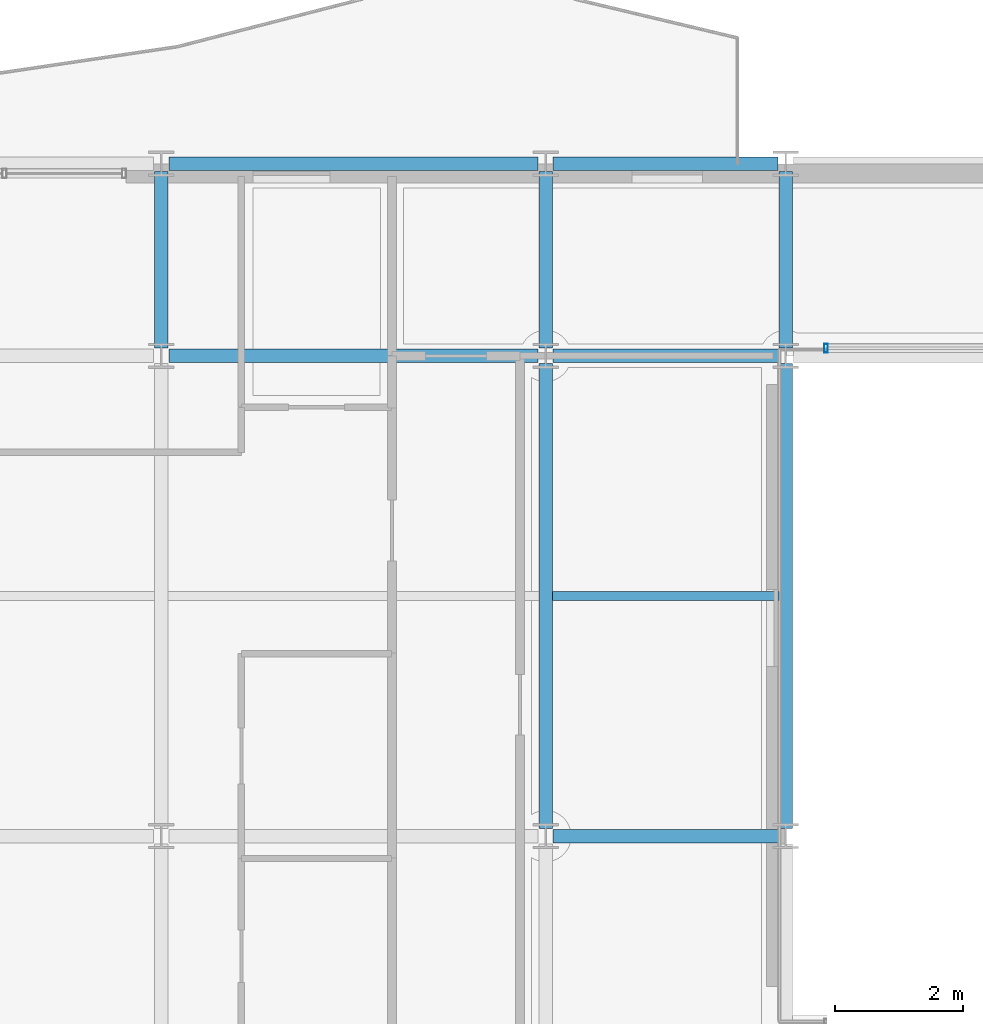
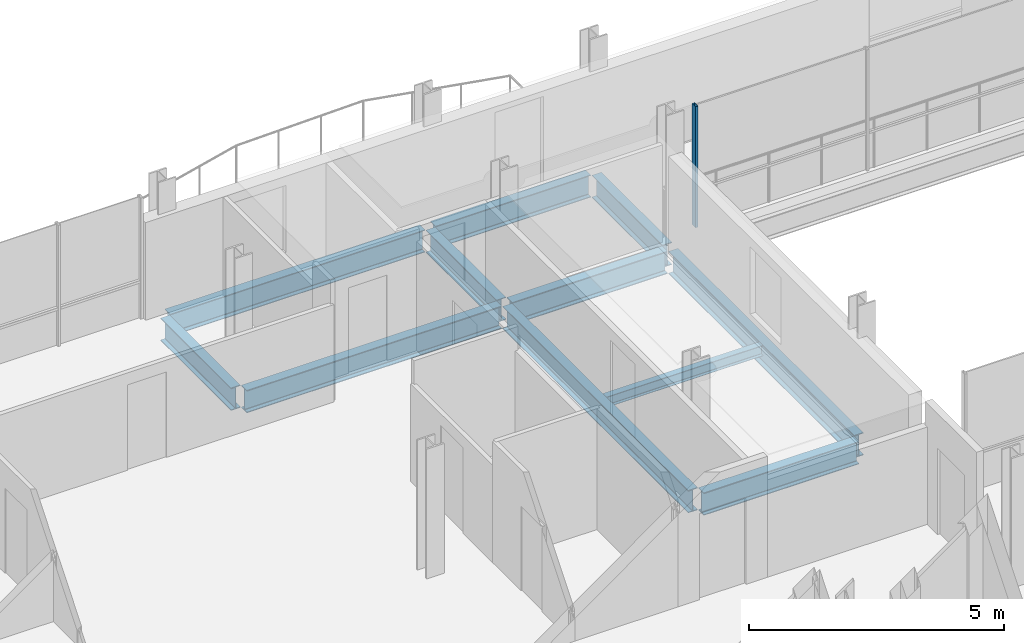
# One storey, part 9 of 35: 11 beams, 1 member, 1 element without a shape of its own.
"""IFC4 building model written with IfcOpenShell, lengths in metres."""

from ifc_helpers import new_model, si_unit, direction, frame, origin, origin_2d, place, context, subcontext, project, spatial, hollow_rectangle, i_section, extrude, material, layer, layer_set, material_profile, profile_set, type_object, element, aggregate, save


model = new_model("IFC4")

# Units and contexts
model_context = context("Model", 3, precision=1e-05, world=origin(), true_north=direction((0.0, 1.0)))
body_context = subcontext(model_context, "Body", "Model", "MODEL_VIEW")
ifc_project = project(units=[si_unit("LENGTHUNIT", "METRE"), si_unit("AREAUNIT", "SQUARE_METRE"), si_unit("VOLUMEUNIT", "CUBIC_METRE"), si_unit("PLANEANGLEUNIT", "RADIAN"), si_unit("MASSUNIT", "GRAM", prefix="KILO")], contexts=[model_context])

# Site, building, storey
site_placement = place(None, origin())
site = spatial("IfcSite", under=ifc_project, at=site_placement, CompositionType="ELEMENT")
building_placement = place(site_placement, origin())
building = spatial("IfcBuilding", under=site, at=building_placement, Name="Brevholm Reach", CompositionType="ELEMENT")
storey_placement = place(building_placement, frame((0.0, 0.0, 183.199951171875)))
storey = spatial("IfcBuildingStorey", under=building, at=storey_placement, Name="L55", CompositionType="ELEMENT", Elevation=183.199951171875)

# Beams
ifc_material_1 = material(Name="Structural Steel S355J2", Category="steel")
ifc_material_profile_1 = material_profile(ifc_material_1, i_section(OverallWidth=0.14599609375, OverallDepth=0.25146484375, WebThickness=0.006103515625, FlangeThickness=0.008544921875, FilletRadius=0.007568359375, at=origin_2d()), Name="UKB 254x146x31")
ifc_profile_set_1 = profile_set([ifc_material_profile_1], Name="Structural Steel S355J2")
beam_type_1 = type_object("IfcBeamType", Name="BM-B254", PredefinedType="BEAM", material=ifc_profile_set_1)
beam_1_placement = place(storey_placement, frame((18.10546875, 19.75, -0.335693359375), z_axis=(1.0, 0.0, 0.0), x_axis=(0.0, 1.0, 0.0)))
element("IfcBeam", 1, at=beam_1_placement, inside=storey, type_object=beam_type_1, Name="L55 Composite Secondary Floor Beam", PredefinedType="BEAM", context=body_context, shape_type="SweptSolid", body=[
    extrude(i_section(OverallWidth=0.14599609375, OverallDepth=0.25146484375, WebThickness=0.006103515625, FlangeThickness=0.008544921875, FilletRadius=0.007568359375, at=origin_2d()), origin(), (0.0, 0.0, 1.0), 3.5390625),
])
ifc_material_2 = material(Name="Structural Steel S355J2", Category="steel")
ifc_material_profile_2 = material_profile(ifc_material_2, i_section(OverallWidth=0.209228515625, OverallDepth=0.533203125, WebThickness=0.010009765625, FlangeThickness=0.015625, FilletRadius=0.0126953125, at=origin_2d()), Name="UKB 533x210x92")
ifc_profile_set_2 = profile_set([ifc_material_profile_2], Name="Structural Steel S355J2")
beam_type_2 = type_object("IfcBeamType", Name="BM-SP533", PredefinedType="SPANDREL", material=ifc_profile_set_2)
beam_2_placement = place(storey_placement, frame((12.1201171875, 26.5, -0.4765625), z_axis=(1.0, 0.0, 0.0), x_axis=(0.0, 1.0, 0.0)))
element("IfcBeam", 2, at=beam_2_placement, inside=storey, type_object=beam_type_2, Name="L55 SP-02 Framing Beam", PredefinedType="SPANDREL", context=body_context, shape_type="SweptSolid", body=[
    extrude(i_section(OverallWidth=0.209228515625, OverallDepth=0.533203125, WebThickness=0.010009765625, FlangeThickness=0.015625, FilletRadius=0.0126953125, at=origin_2d()), origin(), (0.0, 0.0, 1.0), 5.759765625),
])
beam_3_placement = place(storey_placement, frame((18.1201171875, 26.5, -0.4765625), z_axis=(1.0, 0.0, 0.0), x_axis=(0.0, 1.0, 0.0)))
element("IfcBeam", 3, at=beam_3_placement, inside=storey, type_object=beam_type_2, Name="L55 SP-02 Framing Beam", PredefinedType="SPANDREL", context=body_context, shape_type="SweptSolid", body=[
    extrude(i_section(OverallWidth=0.209228515625, OverallDepth=0.533203125, WebThickness=0.010009765625, FlangeThickness=0.015625, FilletRadius=0.0126953125, at=origin_2d()), origin(), (0.0, 0.0, 1.0), 3.509765625),
])
ifc_material_3 = material(Name="Structural Steel S355J2", Category="steel")
ifc_material_profile_3 = material_profile(ifc_material_3, i_section(OverallWidth=0.210693359375, OverallDepth=0.53955078125, WebThickness=0.01171875, FlangeThickness=0.018798828125, FilletRadius=0.0126953125, at=origin_2d()), Name="UKB 533x210x109")
ifc_profile_set_3 = profile_set([ifc_material_profile_3], Name="Structural Steel S355J2")
beam_type_3 = type_object("IfcBeamType", Name="BM-SP539", PredefinedType="SPANDREL", material=ifc_profile_set_3)
beam_4_placement = place(storey_placement, frame((18.1201171875, 16.0, -0.479736328125), z_axis=(1.0, 0.0, 0.0), x_axis=(0.0, 1.0, 0.0)))
element("IfcBeam", 4, at=beam_4_placement, inside=storey, type_object=beam_type_3, Name="L55 SP-01B Framing Beam", PredefinedType="SPANDREL", context=body_context, shape_type="SweptSolid", body=[
    extrude(i_section(OverallWidth=0.210693359375, OverallDepth=0.53955078125, WebThickness=0.01171875, FlangeThickness=0.018798828125, FilletRadius=0.0126953125, at=origin_2d()), origin(), (0.0, 0.0, 1.0), 3.509765625),
])
beam_5_placement = place(storey_placement, frame((12.1201171875, 23.5, -0.479736328125), z_axis=(1.0, 0.0, 0.0), x_axis=(0.0, 1.0, 0.0)))
element("IfcBeam", 5, at=beam_5_placement, inside=storey, type_object=beam_type_3, Name="L55 SP-01B Framing Beam", PredefinedType="SPANDREL", context=body_context, shape_type="SweptSolid", body=[
    extrude(i_section(OverallWidth=0.210693359375, OverallDepth=0.53955078125, WebThickness=0.01171875, FlangeThickness=0.018798828125, FilletRadius=0.0126953125, at=origin_2d()), origin(), (0.0, 0.0, 1.0), 5.759765625),
])
beam_6_placement = place(storey_placement, frame((18.1201171875, 23.5, -0.479736328125), z_axis=(1.0, 0.0, 0.0), x_axis=(0.0, 1.0, 0.0)))
element("IfcBeam", 6, at=beam_6_placement, inside=storey, type_object=beam_type_3, Name="L55 SP-01B Framing Beam", PredefinedType="SPANDREL", context=body_context, shape_type="SweptSolid", body=[
    extrude(i_section(OverallWidth=0.210693359375, OverallDepth=0.53955078125, WebThickness=0.01171875, FlangeThickness=0.018798828125, FilletRadius=0.0126953125, at=origin_2d()), origin(), (0.0, 0.0, 1.0), 3.509765625),
])
beam_7_placement = place(storey_placement, frame((12.0, 23.6201171875, -0.479736328125), z_axis=(0.0, 1.0, 0.0), x_axis=(-1.0, 0.0, 0.0)))
element("IfcBeam", 7, at=beam_7_placement, inside=storey, type_object=beam_type_3, Name="L55 SP-01B Framing Beam", PredefinedType="SPANDREL", context=body_context, shape_type="SweptSolid", body=[
    extrude(i_section(OverallWidth=0.210693359375, OverallDepth=0.53955078125, WebThickness=0.01171875, FlangeThickness=0.018798828125, FilletRadius=0.0126953125, at=origin_2d()), origin(), (0.0, 0.0, 1.0), 2.759765625),
])
beam_8_placement = place(storey_placement, frame((18.0, 16.1201171875, -0.479736328125), z_axis=(0.0, 1.0, 0.0), x_axis=(-1.0, 0.0, 0.0)))
element("IfcBeam", 8, at=beam_8_placement, inside=storey, type_object=beam_type_3, Name="L55 SP-01B Framing Beam", PredefinedType="SPANDREL", context=body_context, shape_type="SweptSolid", body=[
    extrude(i_section(OverallWidth=0.210693359375, OverallDepth=0.53955078125, WebThickness=0.01171875, FlangeThickness=0.018798828125, FilletRadius=0.0126953125, at=origin_2d()), origin(), (0.0, 0.0, 1.0), 7.259765625),
])
beam_9_placement = place(storey_placement, frame((18.0, 23.6201171875, -0.479736328125), z_axis=(0.0, 1.0, 0.0), x_axis=(-1.0, 0.0, 0.0)))
element("IfcBeam", 9, at=beam_9_placement, inside=storey, type_object=beam_type_3, Name="L55 SP-01B Framing Beam", PredefinedType="SPANDREL", context=body_context, shape_type="SweptSolid", body=[
    extrude(i_section(OverallWidth=0.210693359375, OverallDepth=0.53955078125, WebThickness=0.01171875, FlangeThickness=0.018798828125, FilletRadius=0.0126953125, at=origin_2d()), origin(), (0.0, 0.0, 1.0), 2.759765625),
])
beam_10_placement = place(storey_placement, frame((21.75, 16.1201171875, -0.479736328125), z_axis=(0.0, 1.0, 0.0), x_axis=(-1.0, 0.0, 0.0)))
element("IfcBeam", 10, at=beam_10_placement, inside=storey, type_object=beam_type_3, Name="L55 SP-01B Framing Beam", PredefinedType="SPANDREL", context=body_context, shape_type="SweptSolid", body=[
    extrude(i_section(OverallWidth=0.210693359375, OverallDepth=0.53955078125, WebThickness=0.01171875, FlangeThickness=0.018798828125, FilletRadius=0.0126953125, at=origin_2d()), origin(), (0.0, 0.0, 1.0), 7.259765625),
])
beam_11_placement = place(storey_placement, frame((21.75, 23.6201171875, -0.479736328125), z_axis=(0.0, 1.0, 0.0), x_axis=(-1.0, 0.0, 0.0)))
element("IfcBeam", 11, at=beam_11_placement, inside=storey, type_object=beam_type_3, Name="L55 SP-01B Framing Beam", PredefinedType="SPANDREL", context=body_context, shape_type="SweptSolid", body=[
    extrude(i_section(OverallWidth=0.210693359375, OverallDepth=0.53955078125, WebThickness=0.01171875, FlangeThickness=0.018798828125, FilletRadius=0.0126953125, at=origin_2d()), origin(), (0.0, 0.0, 1.0), 2.759765625),
])

# Curtain wall, member
ifc_material_4 = material(Name="Dark Anodised Aluminium 6063-T6 and Solar-Control Glass", Category="aluminium")
ifc_layer = layer(ifc_material_4, 0.139892578125)
ifc_layer_set = layer_set([ifc_layer], Name="Dark Anodised Aluminium 6063-T6 and Solar-Control Glass")
curtain_wall_type = type_object("IfcCurtainWallType", Name="CW-02", PredefinedType="NOTDEFINED", material=ifc_layer_set)
curtain_wall_placement = place(storey_placement, origin())
curtain_wall = element("IfcCurtainWall", 12, at=curtain_wall_placement, inside=storey, type_object=curtain_wall_type, Name="L55 Curtain Wall CW-02", PredefinedType="NOTDEFINED")
ifc_material_5 = material(Name="Dark Anodised Aluminium 6063-T6", Category="aluminium")
ifc_material_profile_4 = material_profile(ifc_material_5, hollow_rectangle(XDim=0.06005859375, YDim=0.139892578125, WallThickness=0.0048828125, InnerFilletRadius=0.0048828125, OuterFilletRadius=0.010009765625, at=origin_2d()), Name="RHS 140x60x5")
ifc_profile_set_4 = profile_set([ifc_material_profile_4], Name="Dark Anodised Aluminium 6063-T6")
member_type = type_object("IfcMemberType", Name="CWM-140", PredefinedType="MULLION", material=ifc_profile_set_4)
member_placement = place(storey_placement, frame((22.3798828125, 23.6201171875, 0.0), z_axis=(0.0, 0.0, 1.0), x_axis=(-1.0, 0.0, 0.0)))
member = element("IfcMember", 13, at=member_placement, type_object=member_type, Name="CM-140 Mullion 5", PredefinedType="MULLION", context=body_context, shape_type="SweptSolid", body=[
    extrude(hollow_rectangle(XDim=0.06005859375, YDim=0.139892578125, WallThickness=0.0048828125, InnerFilletRadius=0.0048828125, OuterFilletRadius=0.010009765625, at=origin_2d()), origin(), (0.0, 0.0, 1.0), 2.89013671875),
])
aggregate(curtain_wall, [member])

save(model, "model.ifc")
